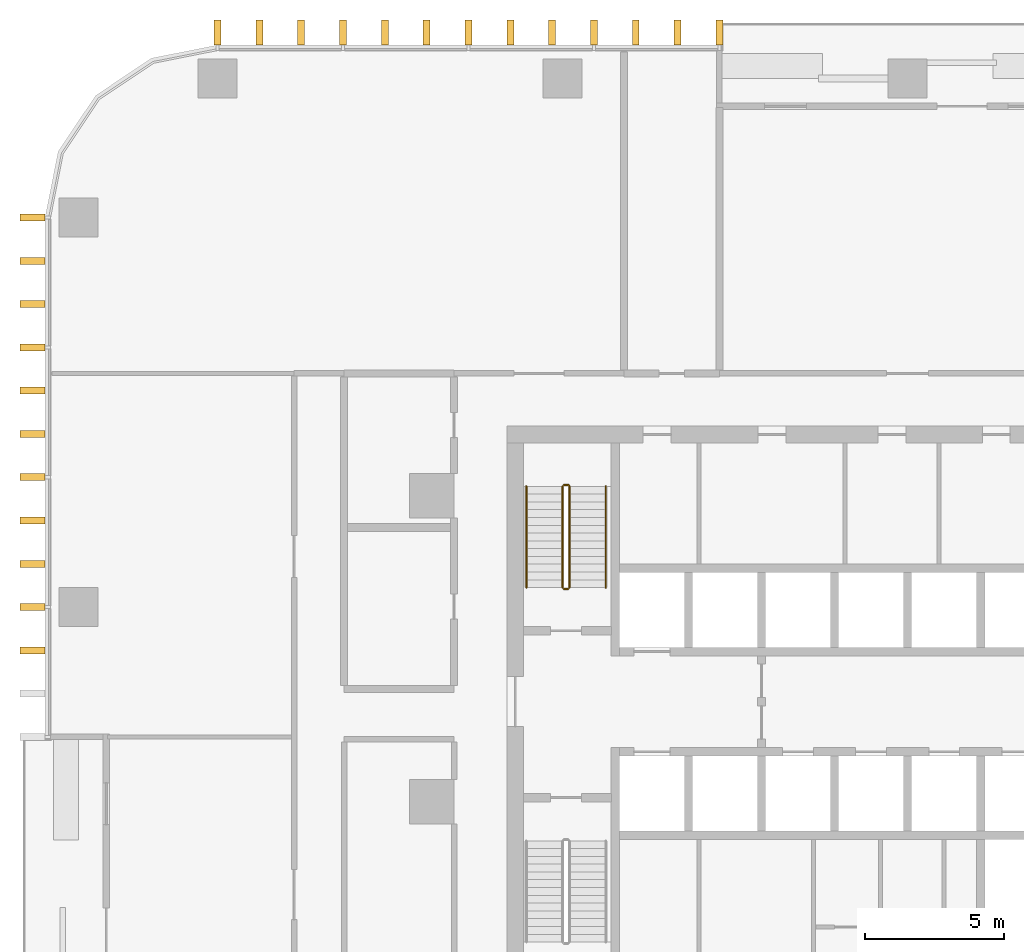
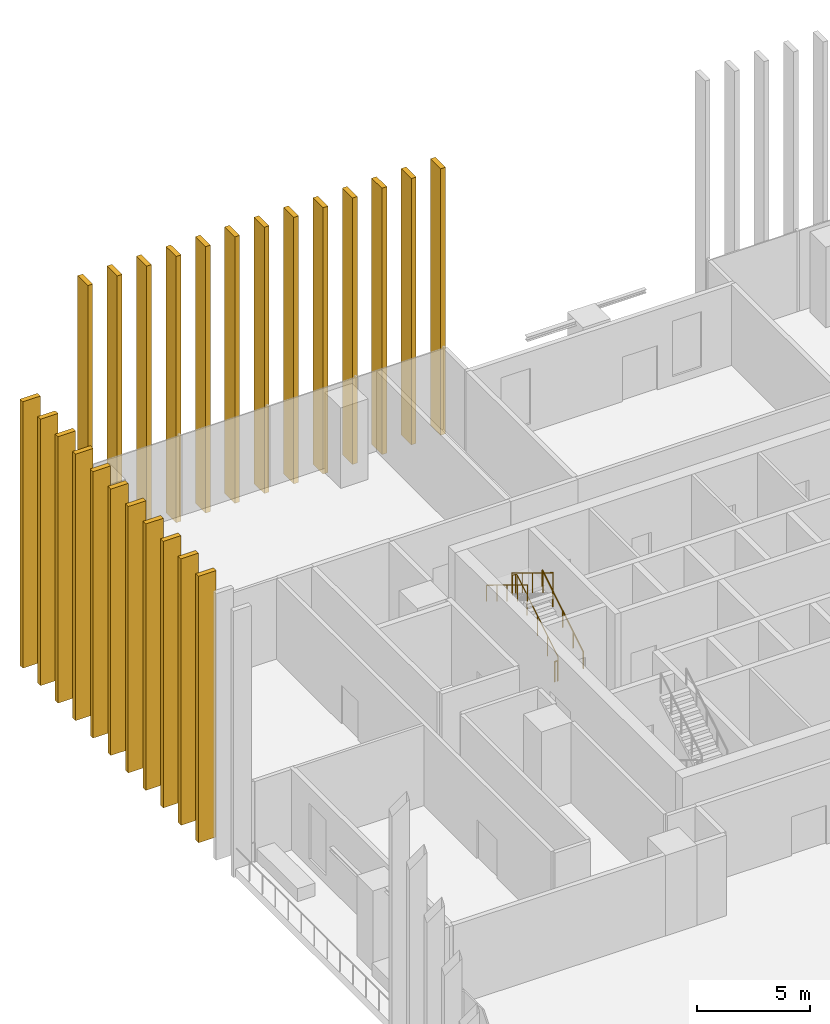
# One storey, part 15 of 17: 24 shading devices, 5 railings.
"""IFC4 building model written with IfcOpenShell, lengths in metres."""

from ifc_helpers import new_model, si_unit, direction, frame, origin, origin_2d, place, context, subcontext, project, spatial, rectangle, circle, extrude, material, type_object, element, save


model = new_model("IFC4")

# Units and contexts
model_context = context("Model", 3, precision=1e-05, world=origin(), true_north=direction((0.0, 1.0)))
body_context = subcontext(model_context, "Body", "Model", "MODEL_VIEW")
ifc_project = project(units=[si_unit("LENGTHUNIT", "METRE"), si_unit("AREAUNIT", "SQUARE_METRE"), si_unit("VOLUMEUNIT", "CUBIC_METRE"), si_unit("PLANEANGLEUNIT", "RADIAN"), si_unit("MASSUNIT", "GRAM", prefix="KILO")], contexts=[model_context])

# Site, building, storey
site_placement = place(None, origin())
site = spatial("IfcSite", under=ifc_project, at=site_placement, CompositionType="ELEMENT")
building_placement = place(site_placement, origin())
building = spatial("IfcBuilding", under=site, at=building_placement, Name="Mopane Tessera Tower", CompositionType="ELEMENT")
storey_placement = place(building_placement, frame((0.0, 0.0, 45.39990234375)))
storey = spatial("IfcBuildingStorey", under=building, at=storey_placement, Name="L08", CompositionType="ELEMENT", Elevation=45.39990234375)

# Shading devices
ifc_material_1 = material(Name="Glazed ceramic tile")
shading_device_type = type_object("IfcShadingDeviceType", Name="Ceramic tile fin 900 x 250 mm", PredefinedType="USERDEFINED", material=ifc_material_1)
for number, where, z_axis, x_axis, name in (
    (1, (-6.763671875, 27.64990234375, -0.449951171875), (0.0, 0.0, 1.0), (-1.0, 0.0, 0.0), "e:fin:L08:N:7:0"),
    (2, (-8.2666015625, 27.64990234375, -0.449951171875), (0.0, 0.0, 1.0), (-1.0, 0.0, 0.0), "e:fin:L08:N:7:1"),
    (3, (-9.769775390625, 27.64990234375, -0.449951171875), (0.0, 0.0, 1.0), (-1.0, 0.0, 0.0), "e:fin:L08:N:7:2"),
    (4, (-11.272705078125, 27.64990234375, -0.449951171875), (0.0, 0.0, 1.0), (-1.0, 0.0, 0.0), "e:fin:L08:N:8:0"),
    (5, (-12.77587890625, 27.64990234375, -0.449951171875), (0.0, 0.0, 1.0), (-1.0, 0.0, 0.0), "e:fin:L08:N:8:1"),
    (6, (-14.27880859375, 27.64990234375, -0.449951171875), (0.0, 0.0, 1.0), (-1.0, 0.0, 0.0), "e:fin:L08:N:8:2"),
    (7, (-15.78173828125, 27.64990234375, -0.449951171875), (0.0, 0.0, 1.0), (-1.0, 0.0, 0.0), "e:fin:L08:N:9:0"),
    (8, (-17.284912109375, 27.64990234375, -0.449951171875), (0.0, 0.0, 1.0), (-1.0, 0.0, 0.0), "e:fin:L08:N:9:1"),
    (9, (-18.787841796875, 27.64990234375, -0.449951171875), (0.0, 0.0, 1.0), (-1.0, 0.0, 0.0), "e:fin:L08:N:9:2"),
    (10, (-20.291015625, 27.64990234375, -0.449951171875), (0.0, 0.0, 1.0), (-1.0, 0.0, 0.0), "e:fin:L08:N:10:0"),
    (11, (-21.7939453125, 27.64990234375, -0.449951171875), (0.0, 0.0, 1.0), (-1.0, 0.0, 0.0), "e:fin:L08:N:10:1"),
    (12, (-23.296875, 27.64990234375, -0.449951171875), (0.0, 0.0, 1.0), (-1.0, 0.0, 0.0), "e:fin:L08:N:10:2"),
    (13, (-24.800048828125, 27.64990234375, -0.449951171875), (0.0, 0.0, 1.0), (-1.0, 0.0, 0.0), "e:fin:L08:N:10:3"),
    (14, (-31.449951171875, 21.0, -0.449951171875), (0.0, 0.0, 1.0), (0.0, -1.0, 0.0), "e:fin:L08:W:0:0"),
    (15, (-31.449951171875, 19.4443359375, -0.449951171875), (0.0, 0.0, 1.0), (0.0, -1.0, 0.0), "e:fin:L08:W:0:1"),
    (16, (-31.449951171875, 17.888916015625, -0.449951171875), (0.0, 0.0, 1.0), (0.0, -1.0, 0.0), "e:fin:L08:W:0:2"),
    (17, (-31.449951171875, 16.333251953125, -0.449951171875), (0.0, 0.0, 1.0), (0.0, -1.0, 0.0), "e:fin:L08:W:1:0"),
    (18, (-31.449951171875, 14.77783203125, -0.449951171875), (0.0, 0.0, 1.0), (0.0, -1.0, 0.0), "e:fin:L08:W:1:1"),
    (19, (-31.449951171875, 13.22216796875, -0.449951171875), (0.0, 0.0, 1.0), (0.0, -1.0, 0.0), "e:fin:L08:W:1:2"),
    (20, (-31.449951171875, 11.666748046875, -0.449951171875), (0.0, 0.0, 1.0), (0.0, -1.0, 0.0), "e:fin:L08:W:2:0"),
    (21, (-31.449951171875, 10.111083984375, -0.449951171875), (0.0, 0.0, 1.0), (0.0, -1.0, 0.0), "e:fin:L08:W:2:1"),
    (22, (-31.449951171875, 8.5556640625, -0.449951171875), (0.0, 0.0, 1.0), (0.0, -1.0, 0.0), "e:fin:L08:W:2:2"),
    (23, (-31.449951171875, 7.0, -0.449951171875), (0.0, 0.0, 1.0), (0.0, -1.0, 0.0), "e:fin:L08:W:3:0"),
    (24, (-31.449951171875, 5.4443359375, -0.449951171875), (0.0, 0.0, 1.0), (0.0, -1.0, 0.0), "e:fin:L08:W:3:1"),
):
    element("IfcShadingDevice", number, at=place(storey_placement, frame(where, z_axis=z_axis, x_axis=x_axis)), inside=storey, type_object=shading_device_type, Name=name, ObjectType="FIN", PredefinedType="USERDEFINED", context=body_context, shape_type="SweptSolid", body=[
        extrude(rectangle(XDim=0.25, YDim=0.89990234375, at=origin_2d()), origin(), (0.0, 0.0, 1.0), 14.39990234375),
    ])

# Railings
ifc_material_2 = material(Name="Powder-coated steel balustrade", Category="steel")
railing_type_1 = type_object("IfcRailingType", Name="Escape stair guard 1100 mm", PredefinedType="GUARDRAIL", material=ifc_material_2)
railing_1_placement = place(storey_placement, frame((-12.14990234375, 7.699951171875, 0.171630859375)))
element("IfcRailing", 25, at=railing_1_placement, inside=storey, type_object=railing_type_1, Name="L08 ST2 stair guard 1", PredefinedType="GUARDRAIL", context=body_context, shape_type="SweptSolid", body=[
    extrude(circle(Radius=0.02392578125, at=origin_2d()), frame((0.0, 0.0, 1.076171875), z_axis=(0.0, 0.852865859571, 0.52213008492), x_axis=(-1.0, 0.0, 0.0)), (0.0, 0.0, 1.0), 4.26806640625),
    extrude(circle(Radius=0.02392578125, at=origin_2d()), frame((0.0, 3.64013671875, 3.3046875), z_axis=(-0.708833529934, 0.705375805398, 0.0), x_axis=(-0.705375805398, -0.708833529934, 0.0)), (0.0, 0.0, 1.0), 0.070556640625),
    extrude(circle(Radius=0.02392578125, at=origin_2d()), frame((-0.050048828125, 3.68994140625, 3.3046875), z_axis=(-1.0, 0.0, 0.0), x_axis=(0.0, -1.0, 0.0)), (0.0, 0.0, 1.0), 0.150146484375),
    extrude(circle(Radius=0.02099609375, at=origin_2d()), origin(), (0.0, 0.0, 1.0), 1.052001953125),
    extrude(circle(Radius=0.02099609375, at=origin_2d()), frame((0.0, 0.91015625, 0.55712890625)), (0.0, 0.0, 1.0), 1.052001953125),
    extrude(circle(Radius=0.02099609375, at=origin_2d()), frame((0.0, 1.820068359375, 1.1142578125)), (0.0, 0.0, 1.0), 1.052001953125),
    extrude(circle(Radius=0.02099609375, at=origin_2d()), frame((0.0, 2.72998046875, 1.67138671875)), (0.0, 0.0, 1.0), 1.052001953125),
    extrude(circle(Radius=0.02099609375, at=origin_2d()), frame((0.0, 3.64013671875, 2.228515625)), (0.0, 0.0, 1.0), 1.052001953125),
    extrude(circle(Radius=0.02099609375, at=origin_2d()), frame((-0.050048828125, 3.68994140625, 2.228515625)), (0.0, 0.0, 1.0), 1.052001953125),
    extrude(circle(Radius=0.02099609375, at=origin_2d()), frame((-0.2001953125, 3.68994140625, 2.228515625)), (0.0, 0.0, 1.0), 1.052001953125),
])
railing_2_placement = place(storey_placement, frame((-12.39990234375, 11.340087890625, 2.571533203125)))
element("IfcRailing", 26, at=railing_2_placement, inside=storey, type_object=railing_type_1, Name="L08 ST2 stair guard 2", PredefinedType="GUARDRAIL", context=body_context, shape_type="SweptSolid", body=[
    extrude(circle(Radius=0.02392578125, at=origin_2d()), frame((0.0, 0.0, 1.076171875), z_axis=(0.0, -0.852865859571, 0.52213008492), x_axis=(1.0, 0.0, 0.0)), (0.0, 0.0, 1.0), 4.26806640625),
    extrude(circle(Radius=0.02099609375, at=origin_2d()), origin(), (0.0, 0.0, 1.0), 1.052001953125),
    extrude(circle(Radius=0.02099609375, at=origin_2d()), frame((0.0, -0.91015625, 0.55712890625)), (0.0, 0.0, 1.0), 1.052001953125),
    extrude(circle(Radius=0.02099609375, at=origin_2d()), frame((0.0, -1.820068359375, 1.1142578125)), (0.0, 0.0, 1.0), 1.052001953125),
    extrude(circle(Radius=0.02099609375, at=origin_2d()), frame((0.0, -2.72998046875, 1.67138671875)), (0.0, 0.0, 1.0), 1.052001953125),
    extrude(circle(Radius=0.02099609375, at=origin_2d()), frame((0.0, -3.64013671875, 2.228515625)), (0.0, 0.0, 1.0), 1.052001953125),
])
railing_3_placement = place(storey_placement, frame((-12.199951171875, 7.64990234375, 0.0)))
element("IfcRailing", 27, at=railing_3_placement, inside=storey, type_object=railing_type_1, Name="L08 ST2 stair guard 3", PredefinedType="GUARDRAIL", context=body_context, shape_type="SweptSolid", body=[
    extrude(circle(Radius=0.02392578125, at=origin_2d()), frame((0.0, 0.0, 1.076171875), z_axis=(-1.0, 0.0, 0.0), x_axis=(0.0, -1.0, 0.0)), (0.0, 0.0, 1.0), 0.150146484375),
    extrude(circle(Radius=0.02099609375, at=origin_2d()), origin(), (0.0, 0.0, 1.0), 1.052001953125),
    extrude(circle(Radius=0.02099609375, at=origin_2d()), frame((-0.150146484375, 0.0, 0.0)), (0.0, 0.0, 1.0), 1.052001953125),
])
ifc_material_3 = material(Name="Powder-coated steel balustrade", Category="steel")
railing_type_2 = type_object("IfcRailingType", Name="Escape stair handrail 900 mm", PredefinedType="HANDRAIL", material=ifc_material_3)
railing_4_placement = place(storey_placement, frame((-10.85009765625, 7.699951171875, 0.171630859375)))
element("IfcRailing", 28, at=railing_4_placement, inside=storey, type_object=railing_type_2, Name="L08 ST2 stair handrail 1", PredefinedType="HANDRAIL", context=body_context, shape_type="SweptSolid", body=[
    extrude(circle(Radius=0.02392578125, at=origin_2d()), frame((0.0, 0.0, 0.8759765625), z_axis=(0.0, 0.852865859571, 0.52213008492), x_axis=(-1.0, 0.0, 0.0)), (0.0, 0.0, 1.0), 4.26806640625),
    extrude(circle(Radius=0.02099609375, at=origin_2d()), origin(), (0.0, 0.0, 1.0), 0.851806640625),
    extrude(circle(Radius=0.02099609375, at=origin_2d()), frame((0.0, 0.91015625, 0.55712890625)), (0.0, 0.0, 1.0), 0.851806640625),
    extrude(circle(Radius=0.02099609375, at=origin_2d()), frame((0.0, 1.820068359375, 1.1142578125)), (0.0, 0.0, 1.0), 0.851806640625),
    extrude(circle(Radius=0.02099609375, at=origin_2d()), frame((0.0, 2.72998046875, 1.67138671875)), (0.0, 0.0, 1.0), 0.851806640625),
    extrude(circle(Radius=0.02099609375, at=origin_2d()), frame((0.0, 3.64013671875, 2.228515625)), (0.0, 0.0, 1.0), 0.851806640625),
])
railing_5_placement = place(storey_placement, frame((-13.699951171875, 11.340087890625, 2.571533203125)))
element("IfcRailing", 29, at=railing_5_placement, inside=storey, type_object=railing_type_2, Name="L08 ST2 stair handrail 2", PredefinedType="HANDRAIL", context=body_context, shape_type="SweptSolid", body=[
    extrude(circle(Radius=0.02392578125, at=origin_2d()), frame((0.0, 0.0, 0.8759765625), z_axis=(0.0, -0.852865859571, 0.52213008492), x_axis=(1.0, 0.0, 0.0)), (0.0, 0.0, 1.0), 4.26806640625),
    extrude(circle(Radius=0.02099609375, at=origin_2d()), origin(), (0.0, 0.0, 1.0), 0.851806640625),
    extrude(circle(Radius=0.02099609375, at=origin_2d()), frame((0.0, -0.91015625, 0.55712890625)), (0.0, 0.0, 1.0), 0.851806640625),
    extrude(circle(Radius=0.02099609375, at=origin_2d()), frame((0.0, -1.820068359375, 1.1142578125)), (0.0, 0.0, 1.0), 0.851806640625),
    extrude(circle(Radius=0.02099609375, at=origin_2d()), frame((0.0, -2.72998046875, 1.67138671875)), (0.0, 0.0, 1.0), 0.851806640625),
    extrude(circle(Radius=0.02099609375, at=origin_2d()), frame((0.0, -3.64013671875, 2.228515625)), (0.0, 0.0, 1.0), 0.851806640625),
])

save(model, "model.ifc")
